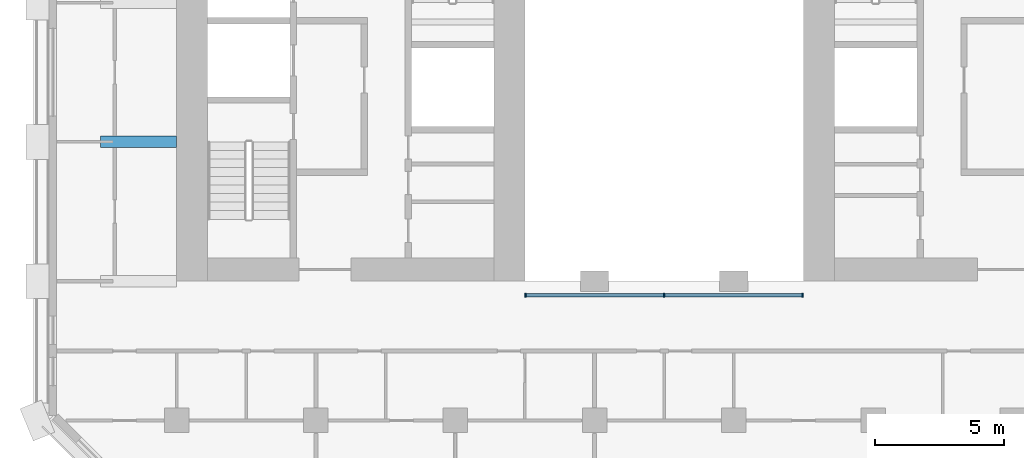
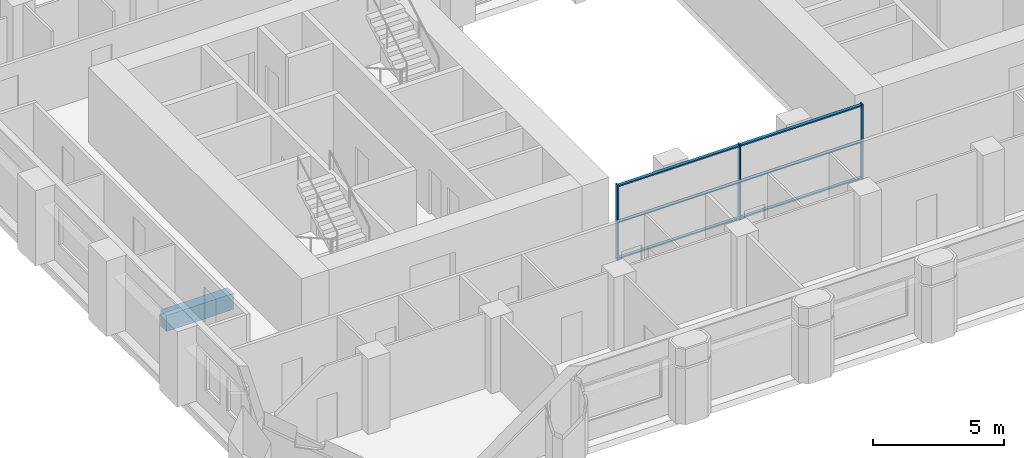
# One storey, part 2 of 13: 9 members, 1 beam, 1 element without a shape of its own.
"""IFC4 building model written with IfcOpenShell, lengths in metres."""

from ifc_helpers import new_model, si_unit, direction, frame, origin, origin_2d, place, context, subcontext, project, spatial, rectangle, extrude, material, material_profile, profile_set, type_object, element, aggregate, save


model = new_model("IFC4")

# Units and contexts
model_context = context("Model", 3, precision=1e-05, world=origin(), true_north=direction((0.0, 1.0)))
body_context = subcontext(model_context, "Body", "Model", "MODEL_VIEW")
ifc_project = project(units=[si_unit("LENGTHUNIT", "METRE"), si_unit("AREAUNIT", "SQUARE_METRE"), si_unit("VOLUMEUNIT", "CUBIC_METRE"), si_unit("PLANEANGLEUNIT", "RADIAN"), si_unit("MASSUNIT", "GRAM", prefix="KILO")], contexts=[model_context])

# Site, building, storey
site_placement = place(None, origin())
site = spatial("IfcSite", under=ifc_project, at=site_placement, CompositionType="ELEMENT")
building_placement = place(site_placement, origin())
building = spatial("IfcBuilding", under=site, at=building_placement, Name="Tabaq Tower and Sports Hall", CompositionType="ELEMENT")
storey_placement = place(building_placement, frame((0.0, 0.0, 114.39990234375)))
storey = spatial("IfcBuildingStorey", under=building, at=storey_placement, Name="L27", CompositionType="ELEMENT", Elevation=114.39990234375)

# Curtain wall, members
ifc_material_1 = material(Name="Aluminium alloy 6063-T6 framed glazing", Category="aluminium")
curtain_wall_type = type_object("IfcCurtainWallType", Name="CW1 curtain wall", PredefinedType="USERDEFINED", material=ifc_material_1)
curtain_wall_placement = place(storey_placement, origin())
curtain_wall = element("IfcCurtainWall", 1, at=curtain_wall_placement, inside=storey, type_object=curtain_wall_type, Name="Atrium glazing L27 S", ObjectType="ATRIUM ENCLOSURE", PredefinedType="USERDEFINED")
ifc_material_2 = material(Name="Aluminium alloy 6063-T6", Category="aluminium")
ifc_material_profile_1 = material_profile(ifc_material_2, rectangle(XDim=0.159912109375, YDim=0.06005859375, at=origin_2d()), Name="MULLION 160x60")
ifc_profile_set_1 = profile_set([ifc_material_profile_1], Name="Aluminium alloy 6063-T6")
member_type_1 = type_object("IfcMemberType", Name="CW1 mullion 160x60", PredefinedType="MULLION", material=ifc_profile_set_1)
member_1_placement = place(storey_placement, frame((18.929931640625, 15.64990234375, 0.0), z_axis=(0.0, 0.0, 1.0), x_axis=(0.0, 1.0, 0.0)))
member_1 = element("IfcMember", 2, at=member_1_placement, type_object=member_type_1, Name="CW1 mullion 1", PredefinedType="MULLION", context=body_context, shape_type="SweptSolid", body=[
    extrude(rectangle(XDim=0.159912109375, YDim=0.06005859375, at=origin_2d()), origin(), (0.0, 0.0, 1.0), 3.5),
])
member_2_placement = place(storey_placement, frame((24.300048828125, 15.64990234375, 0.0), z_axis=(0.0, 0.0, 1.0), x_axis=(0.0, 1.0, 0.0)))
member_2 = element("IfcMember", 3, at=member_2_placement, type_object=member_type_1, Name="CW1 mullion 2", PredefinedType="MULLION", context=body_context, shape_type="SweptSolid", body=[
    extrude(rectangle(XDim=0.159912109375, YDim=0.06005859375, at=origin_2d()), origin(), (0.0, 0.0, 1.0), 3.5),
])
member_3_placement = place(storey_placement, frame((29.669921875, 15.64990234375, 0.0), z_axis=(0.0, 0.0, 1.0), x_axis=(0.0, 1.0, 0.0)))
member_3 = element("IfcMember", 4, at=member_3_placement, type_object=member_type_1, Name="CW1 mullion 3", PredefinedType="MULLION", context=body_context, shape_type="SweptSolid", body=[
    extrude(rectangle(XDim=0.159912109375, YDim=0.06005859375, at=origin_2d()), origin(), (0.0, 0.0, 1.0), 3.5),
])
ifc_material_3 = material(Name="Aluminium alloy 6063-T6", Category="aluminium")
ifc_material_profile_2 = material_profile(ifc_material_3, rectangle(XDim=0.139892578125, YDim=0.06005859375, at=origin_2d()), Name="TRANSOM 140x60")
ifc_profile_set_2 = profile_set([ifc_material_profile_2], Name="Aluminium alloy 6063-T6")
member_type_2 = type_object("IfcMemberType", Name="CW1 transom 140x60", PredefinedType="USERDEFINED", material=ifc_profile_set_2)
member_4_placement = place(storey_placement, frame((18.9599609375, 15.64990234375, 0.070068359375), z_axis=(1.0, 0.0, 0.0), x_axis=(0.0, 1.0, 0.0)))
member_4 = element("IfcMember", 5, at=member_4_placement, type_object=member_type_2, Name="CW1 transom 1.1", ObjectType="TRANSOM", PredefinedType="USERDEFINED", context=body_context, shape_type="SweptSolid", body=[
    extrude(rectangle(XDim=0.139892578125, YDim=0.06005859375, at=origin_2d()), origin(), (0.0, 0.0, 1.0), 5.31005859375),
])
member_5_placement = place(storey_placement, frame((18.9599609375, 15.64990234375, 1.75), z_axis=(1.0, 0.0, 0.0), x_axis=(0.0, 1.0, 0.0)))
member_5 = element("IfcMember", 6, at=member_5_placement, type_object=member_type_2, Name="CW1 transom 1.2", ObjectType="TRANSOM", PredefinedType="USERDEFINED", context=body_context, shape_type="SweptSolid", body=[
    extrude(rectangle(XDim=0.139892578125, YDim=0.06005859375, at=origin_2d()), origin(), (0.0, 0.0, 1.0), 5.31005859375),
])
member_6_placement = place(storey_placement, frame((18.9599609375, 15.64990234375, 3.43017578125), z_axis=(1.0, 0.0, 0.0), x_axis=(0.0, 1.0, 0.0)))
member_6 = element("IfcMember", 7, at=member_6_placement, type_object=member_type_2, Name="CW1 transom 1.3", ObjectType="TRANSOM", PredefinedType="USERDEFINED", context=body_context, shape_type="SweptSolid", body=[
    extrude(rectangle(XDim=0.139892578125, YDim=0.06005859375, at=origin_2d()), origin(), (0.0, 0.0, 1.0), 5.31005859375),
])
member_7_placement = place(storey_placement, frame((24.330078125, 15.64990234375, 0.070068359375), z_axis=(1.0, 0.0, 0.0), x_axis=(0.0, 1.0, 0.0)))
member_7 = element("IfcMember", 8, at=member_7_placement, type_object=member_type_2, Name="CW1 transom 2.1", ObjectType="TRANSOM", PredefinedType="USERDEFINED", context=body_context, shape_type="SweptSolid", body=[
    extrude(rectangle(XDim=0.139892578125, YDim=0.06005859375, at=origin_2d()), origin(), (0.0, 0.0, 1.0), 5.309814453125),
])
member_8_placement = place(storey_placement, frame((24.330078125, 15.64990234375, 1.75), z_axis=(1.0, 0.0, 0.0), x_axis=(0.0, 1.0, 0.0)))
member_8 = element("IfcMember", 9, at=member_8_placement, type_object=member_type_2, Name="CW1 transom 2.2", ObjectType="TRANSOM", PredefinedType="USERDEFINED", context=body_context, shape_type="SweptSolid", body=[
    extrude(rectangle(XDim=0.139892578125, YDim=0.06005859375, at=origin_2d()), origin(), (0.0, 0.0, 1.0), 5.309814453125),
])
member_9_placement = place(storey_placement, frame((24.330078125, 15.64990234375, 3.43017578125), z_axis=(1.0, 0.0, 0.0), x_axis=(0.0, 1.0, 0.0)))
member_9 = element("IfcMember", 10, at=member_9_placement, type_object=member_type_2, Name="CW1 transom 2.3", ObjectType="TRANSOM", PredefinedType="USERDEFINED", context=body_context, shape_type="SweptSolid", body=[
    extrude(rectangle(XDim=0.139892578125, YDim=0.06005859375, at=origin_2d()), origin(), (0.0, 0.0, 1.0), 5.309814453125),
])
aggregate(curtain_wall, [member_1, member_2, member_3, member_4, member_5, member_6, member_7, member_8, member_9])

# Beam
ifc_material_4 = material(Name="Concrete C40/50", Category="concrete")
ifc_material_profile_3 = material_profile(ifc_material_4, rectangle(XDim=0.449951171875, YDim=0.75, at=origin_2d()), Name="CB 450x750")
ifc_profile_set_3 = profile_set([ifc_material_profile_3], Name="Concrete C40/50")
beam_type = type_object("IfcBeamType", Name="PT CANTILEVER BEAM CB 450x750 C40/50", PredefinedType="BEAM", material=ifc_profile_set_3)
beam_placement = place(storey_placement, frame((2.449951171875, 21.60009765625, -0.6748046875), z_axis=(1.0, 0.0, 0.0), x_axis=(0.0, 1.0, 0.0)))
element("IfcBeam", 11, at=beam_placement, inside=storey, type_object=beam_type, Name="Cantilever Beam L27 W4 span 1", PredefinedType="BEAM", context=body_context, shape_type="SweptSolid", body=[
    extrude(rectangle(XDim=0.449951171875, YDim=0.75, at=origin_2d()), origin(), (0.0, 0.0, 1.0), 2.949951171875),
])

save(model, "model.ifc")
